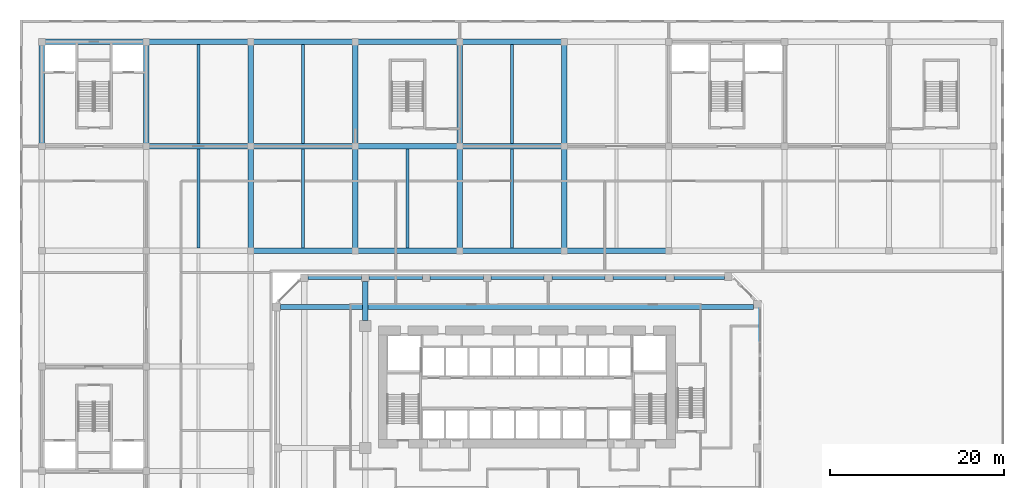
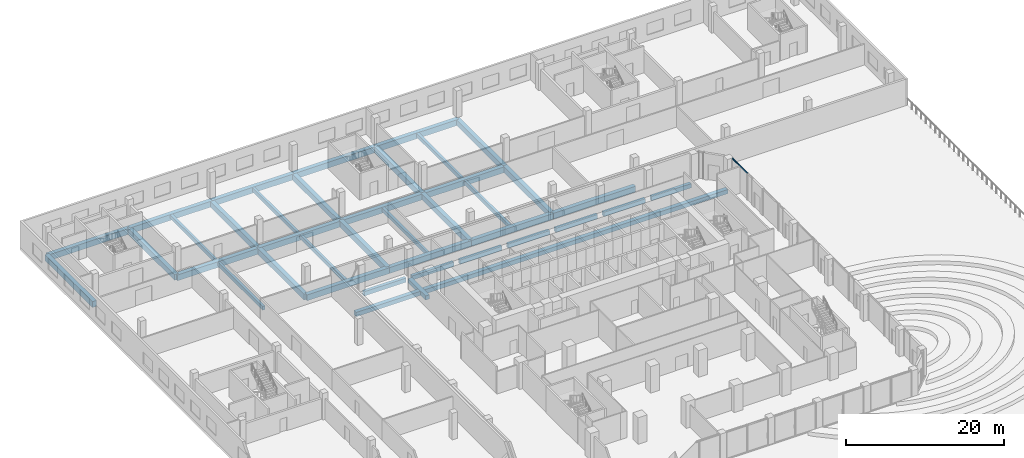
# One storey, part 8 of 38: 39 beams, 1 member, 1 element without a shape of its own.
"""IFC4 building model written with IfcOpenShell, lengths in metres."""

from ifc_helpers import new_model, si_unit, direction, frame, origin, origin_2d, place, context, subcontext, project, spatial, rectangle, extrude, source, transform, mapped, material, material_profile, profile_set, type_object, element, aggregate, save


model = new_model("IFC4")

# Units and contexts
model_context = context("Model", 3, precision=1e-05, world=origin(), true_north=direction((0.0, 1.0)))
body_context = subcontext(model_context, "Body", "Model", "MODEL_VIEW")
ifc_project = project(units=[si_unit("LENGTHUNIT", "METRE"), si_unit("AREAUNIT", "SQUARE_METRE"), si_unit("VOLUMEUNIT", "CUBIC_METRE"), si_unit("PLANEANGLEUNIT", "RADIAN"), si_unit("MASSUNIT", "GRAM", prefix="KILO")], contexts=[model_context])

# Site, building, storey
site_placement = place(None, origin())
site = spatial("IfcSite", under=ifc_project, at=site_placement, CompositionType="ELEMENT")
building_placement = place(site_placement, origin())
building = spatial("IfcBuilding", under=site, at=building_placement, Name="Kilnfold Tower and Market Hall", CompositionType="ELEMENT")
storey_placement = place(building_placement, frame((0.0, 0.0, 9.0)))
storey = spatial("IfcBuildingStorey", under=building, at=storey_placement, Name="L01", CompositionType="ELEMENT", Elevation=9.0)

# Beams
ifc_material_1 = material(Name="Concrete C40/50", Category="concrete")
ifc_material_profile_1 = material_profile(ifc_material_1, rectangle(XDim=0.60009765625, YDim=0.89990234375, at=origin_2d()), Name="RC 600x900")
ifc_profile_set_1 = profile_set([ifc_material_profile_1], Name="Concrete C40/50")
beam_type_1 = type_object("IfcBeamType", Name="HALL GIRDER 600X900", PredefinedType="BEAM", material=ifc_profile_set_1)
for number, where, z_axis, x_axis, name in (
    (1, (-54.64990234375, 42.64990234375, -0.85009765625), (0.0, 1.0, 0.0), (-1.0, 0.0, 0.0), "Beam MG1.15"),
    (2, (-54.64990234375, 54.64990234375, -0.85009765625), (1.0, 0.0, 0.0), (0.0, 1.0, 0.0), "Beam MG1.17"),
    (3, (-42.64990234375, 42.64990234375, -0.85009765625), (0.0, 1.0, 0.0), (-1.0, 0.0, 0.0), "Beam MG1.32"),
    (4, (-42.64990234375, 42.64990234375, -0.85009765625), (1.0, 0.0, 0.0), (0.0, 1.0, 0.0), "Beam MG1.33"),
    (5, (-42.64990234375, 54.64990234375, -0.85009765625), (1.0, 0.0, 0.0), (0.0, 1.0, 0.0), "Beam MG1.34"),
    (6, (-30.64990234375, 30.64990234375, -0.85009765625), (0.0, 1.0, 0.0), (-1.0, 0.0, 0.0), "Beam MG1.41"),
    (7, (-30.64990234375, 30.64990234375, -0.85009765625), (1.0, 0.0, 0.0), (0.0, 1.0, 0.0), "Beam MG1.42"),
    (8, (-30.64990234375, 42.64990234375, -0.85009765625), (0.0, 1.0, 0.0), (-1.0, 0.0, 0.0), "Beam MG1.43"),
    (9, (-30.64990234375, 42.64990234375, -0.85009765625), (1.0, 0.0, 0.0), (0.0, 1.0, 0.0), "Beam MG1.44"),
    (10, (-30.64990234375, 54.64990234375, -0.85009765625), (1.0, 0.0, 0.0), (0.0, 1.0, 0.0), "Beam MG1.45"),
    (11, (-18.64990234375, 30.64990234375, -0.85009765625), (0.0, 1.0, 0.0), (-1.0, 0.0, 0.0), "Beam MG1.46"),
    (12, (-18.64990234375, 30.64990234375, -0.85009765625), (1.0, 0.0, 0.0), (0.0, 1.0, 0.0), "Beam MG1.47"),
    (13, (-18.64990234375, 42.64990234375, -0.85009765625), (0.0, 1.0, 0.0), (-1.0, 0.0, 0.0), "Beam MG1.48"),
    (14, (-18.64990234375, 42.64990234375, -0.85009765625), (1.0, 0.0, 0.0), (0.0, 1.0, 0.0), "Beam MG1.49"),
    (15, (-18.64990234375, 54.64990234375, -0.85009765625), (1.0, 0.0, 0.0), (0.0, 1.0, 0.0), "Beam MG1.50"),
    (16, (-6.64990234375, 30.64990234375, -0.85009765625), (0.0, 1.0, 0.0), (-1.0, 0.0, 0.0), "Beam MG1.51"),
    (17, (-6.64990234375, 30.64990234375, -0.85009765625), (1.0, 0.0, 0.0), (0.0, 1.0, 0.0), "Beam MG1.52"),
    (18, (-6.64990234375, 42.64990234375, -0.85009765625), (0.0, 1.0, 0.0), (-1.0, 0.0, 0.0), "Beam MG1.53"),
    (19, (-6.64990234375, 42.64990234375, -0.85009765625), (1.0, 0.0, 0.0), (0.0, 1.0, 0.0), "Beam MG1.54"),
    (20, (-6.64990234375, 54.64990234375, -0.85009765625), (1.0, 0.0, 0.0), (0.0, 1.0, 0.0), "Beam MG1.55"),
    (21, (5.35009765625, 30.64990234375, -0.85009765625), (0.0, 1.0, 0.0), (-1.0, 0.0, 0.0), "Beam MG1.56"),
    (22, (5.35009765625, 30.64990234375, -0.85009765625), (1.0, 0.0, 0.0), (0.0, 1.0, 0.0), "Beam MG1.57"),
    (23, (5.35009765625, 42.64990234375, -0.85009765625), (0.0, 1.0, 0.0), (-1.0, 0.0, 0.0), "Beam MG1.58"),
):
    element("IfcBeam", number, at=place(storey_placement, frame(where, z_axis=z_axis, x_axis=x_axis)), inside=storey, type_object=beam_type_1, Name=name, PredefinedType="BEAM", context=body_context, shape_type="SweptSolid", body=[
        extrude(rectangle(XDim=0.60009765625, YDim=0.89990234375, at=origin_2d()), origin(), (0.0, 0.0, 1.0), 12.0),
    ])
ifc_material_2 = material(Name="Concrete C40/50", Category="concrete")
ifc_material_profile_2 = material_profile(ifc_material_2, rectangle(XDim=0.35009765625, YDim=0.60009765625, at=origin_2d()), Name="RC 350x600")
ifc_profile_set_2 = profile_set([ifc_material_profile_2], Name="Concrete C40/50")
beam_type_2 = type_object("IfcBeamType", Name="HALL JOIST 350X600", PredefinedType="BEAM", material=ifc_profile_set_2)
for number, where, z_axis, x_axis, name in (
    (24, (-36.64990234375, 30.949951171875, -0.699951171875), (0.0, 1.0, 0.0), (-1.0, 0.0, 0.0), "Beam MJ1.9"),
    (25, (-36.64990234375, 42.949951171875, -0.699951171875), (0.0, 1.0, 0.0), (-1.0, 0.0, 0.0), "Beam MJ1.10"),
    (26, (-24.64990234375, 30.949951171875, -0.699951171875), (0.0, 1.0, 0.0), (-1.0, 0.0, 0.0), "Beam MJ1.11"),
    (27, (-24.64990234375, 42.949951171875, -0.699951171875), (0.0, 1.0, 0.0), (-1.0, 0.0, 0.0), "Beam MJ1.12"),
    (28, (-12.64990234375, 30.949951171875, -0.699951171875), (0.0, 1.0, 0.0), (-1.0, 0.0, 0.0), "Beam MJ1.13"),
    (29, (-0.64990234375, 30.949951171875, -0.699951171875), (0.0, 1.0, 0.0), (-1.0, 0.0, 0.0), "Beam MJ1.14"),
    (30, (-0.64990234375, 42.949951171875, -0.699951171875), (0.0, 1.0, 0.0), (-1.0, 0.0, 0.0), "Beam MJ1.15"),
):
    element("IfcBeam", number, at=place(storey_placement, frame(where, z_axis=z_axis, x_axis=x_axis)), inside=storey, type_object=beam_type_2, Name=name, PredefinedType="BEAM", context=body_context, shape_type="SweptSolid", body=[
        extrude(rectangle(XDim=0.35009765625, YDim=0.60009765625, at=origin_2d()), origin(), (0.0, 0.0, 1.0), 11.400146484375),
    ])
ifc_material_3 = material(Name="Concrete C45", Category="concrete")
ifc_material_profile_3 = material_profile(ifc_material_3, rectangle(XDim=0.449951171875, YDim=0.64990234375, at=origin_2d()), Name="RC 450x650")
ifc_profile_set_3 = profile_set([ifc_material_profile_3], Name="Concrete C45")
beam_type_3 = type_object("IfcBeamType", Name="EDGE BEAM 450X650 C45", PredefinedType="BEAM", material=ifc_profile_set_3)
shared_shape_1 = source(origin(), body_context, "Body", "SweptSolid", [
    extrude(rectangle(XDim=0.449951171875, YDim=0.64990234375, at=origin_2d()), origin(), (0.0, 0.0, 1.0), 6.10009765625),
])
for number, where, z_axis, x_axis, name in (
    (31, (-24.050048828125, 27.550048828125, -0.72509765625), (1.0, 0.0, 0.0), (0.0, 1.0, 0.0), "Beam EB650-B1.23"),
    (32, (-17.050048828125, 27.550048828125, -0.72509765625), (1.0, 0.0, 0.0), (0.0, 1.0, 0.0), "Beam EB650-B1.24"),
    (33, (-10.050048828125, 27.550048828125, -0.72509765625), (1.0, 0.0, 0.0), (0.0, 1.0, 0.0), "Beam EB650-B1.25"),
    (34, (-3.050048828125, 27.550048828125, -0.72509765625), (1.0, 0.0, 0.0), (0.0, 1.0, 0.0), "Beam EB650-B1.26"),
    (35, (3.949951171875, 27.550048828125, -0.72509765625), (1.0, 0.0, 0.0), (0.0, 1.0, 0.0), "Beam EB650-B1.27"),
    (36, (10.949951171875, 27.550048828125, -0.72509765625), (1.0, 0.0, 0.0), (0.0, 1.0, 0.0), "Beam EB650-B1.28"),
):
    element("IfcBeam", number, at=place(storey_placement, frame(where, z_axis=z_axis, x_axis=x_axis)), inside=storey, type_object=beam_type_3, Name=name, PredefinedType="BEAM", context=body_context, shape_type="MappedRepresentation", body=[
        mapped(shared_shape_1, transform((0.0, 0.0, 0.0))),
    ])
ifc_material_4 = material(Name="Concrete C45", Category="concrete")
ifc_material_profile_4 = material_profile(ifc_material_4, rectangle(XDim=0.60009765625, YDim=0.64990234375, at=origin_2d()), Name="RC 600x650")
ifc_profile_set_4 = profile_set([ifc_material_profile_4], Name="Concrete C45")
beam_type_4 = type_object("IfcBeamType", Name="BEAM 600X650 C45", PredefinedType="BEAM", material=ifc_profile_set_4)
shared_shape_2 = source(origin(), body_context, "Body", "SweptSolid", [
    extrude(rectangle(XDim=0.60009765625, YDim=0.64990234375, at=origin_2d()), origin(), (0.0, 0.0, 1.0), 54.331787109375),
])
beam_1_placement = place(storey_placement, frame((-27.231689453125, 24.179931640625, -0.72509765625), z_axis=(1.0, 0.0, 0.0), x_axis=(0.0, 1.0, 0.0)))
element("IfcBeam", 37, at=beam_1_placement, inside=storey, type_object=beam_type_4, Name="Beam BB650-B1.22", PredefinedType="BEAM", context=body_context, shape_type="MappedRepresentation", body=[
    mapped(shared_shape_2, transform((0.0, 0.0, 0.0))),
])
shared_shape_3 = source(origin(), body_context, "Body", "SweptSolid", [
    extrude(rectangle(XDim=0.449951171875, YDim=0.64990234375, at=origin_2d()), origin(), (0.0, 0.0, 1.0), 5.78173828125),
])
beam_2_placement = place(storey_placement, frame((17.949951171875, 27.550048828125, -0.72509765625), z_axis=(1.0, 0.0, 0.0), x_axis=(0.0, 1.0, 0.0)))
element("IfcBeam", 38, at=beam_2_placement, inside=storey, type_object=beam_type_3, Name="Beam EB650-B1.29", PredefinedType="BEAM", context=body_context, shape_type="MappedRepresentation", body=[
    mapped(shared_shape_3, transform((0.0, 0.0, 0.0))),
])
shared_shape_4 = source(origin(), body_context, "Body", "SweptSolid", [
    extrude(rectangle(XDim=0.60009765625, YDim=0.64990234375, at=origin_2d()), origin(), (0.0, 0.0, 1.0), 4.4501953125),
])
beam_3_placement = place(storey_placement, frame((-17.5, 22.64990234375, -0.72509765625), z_axis=(0.0, 1.0, 0.0), x_axis=(-1.0, 0.0, 0.0)))
element("IfcBeam", 39, at=beam_3_placement, inside=storey, type_object=beam_type_4, Name="Beam BB650-B1.39", PredefinedType="BEAM", context=body_context, shape_type="MappedRepresentation", body=[
    mapped(shared_shape_4, transform((0.0, 0.0, 0.0))),
])

# Curtain wall, member
ifc_material_5 = material(Name="Aluminium and double glazing", Category="aluminium")
curtain_wall_type = type_object("IfcCurtainWallType", Name="CW BASE PODIUM GLAZING", PredefinedType="NOTDEFINED", material=ifc_material_5)
curtain_wall_placement = place(storey_placement, origin())
curtain_wall = element("IfcCurtainWall", 40, at=curtain_wall_placement, inside=storey, type_object=curtain_wall_type, Name="Curtain wall CW4 L01 E", PredefinedType="NOTDEFINED")
ifc_material_6 = material(Name="Aluminium", Category="aluminium")
ifc_material_profile_5 = material_profile(ifc_material_6, rectangle(XDim=0.070068359375, YDim=0.159912109375, at=origin_2d()), Name="TRANSOM 70x160")
ifc_profile_set_5 = profile_set([ifc_material_profile_5], Name="Aluminium")
member_type = type_object("IfcMemberType", Name="TRANSOM 70X160", PredefinedType="USERDEFINED", material=ifc_profile_set_5)
shared_shape_5 = source(origin(), body_context, "Body", "SweptSolid", [
    extrude(rectangle(XDim=0.070068359375, YDim=0.159912109375, at=origin_2d()), origin(), (0.0, 0.0, 1.0), 3.760009765625),
])
member_placement = place(storey_placement, frame((27.85009765625, 20.219970703125, 4.06494140625), z_axis=(0.0, 1.0, 0.0), x_axis=(-1.0, 0.0, 0.0)))
member = element("IfcMember", 41, at=member_placement, type_object=member_type, Name="CW4 transom 1.2", ObjectType="TRANSOM", PredefinedType="USERDEFINED", context=body_context, shape_type="MappedRepresentation", body=[
    mapped(shared_shape_5, transform((0.0, 0.0, 0.0))),
])
aggregate(curtain_wall, [member])

save(model, "model.ifc")
